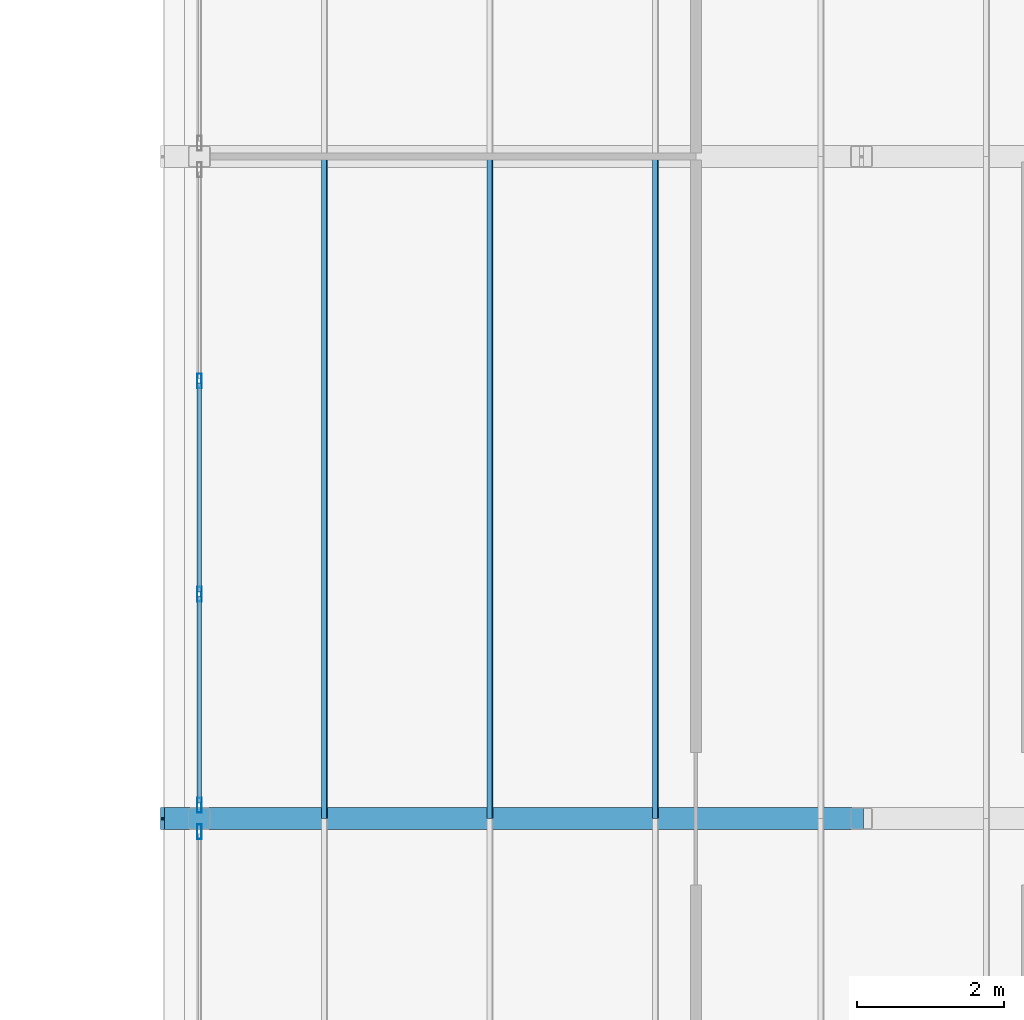
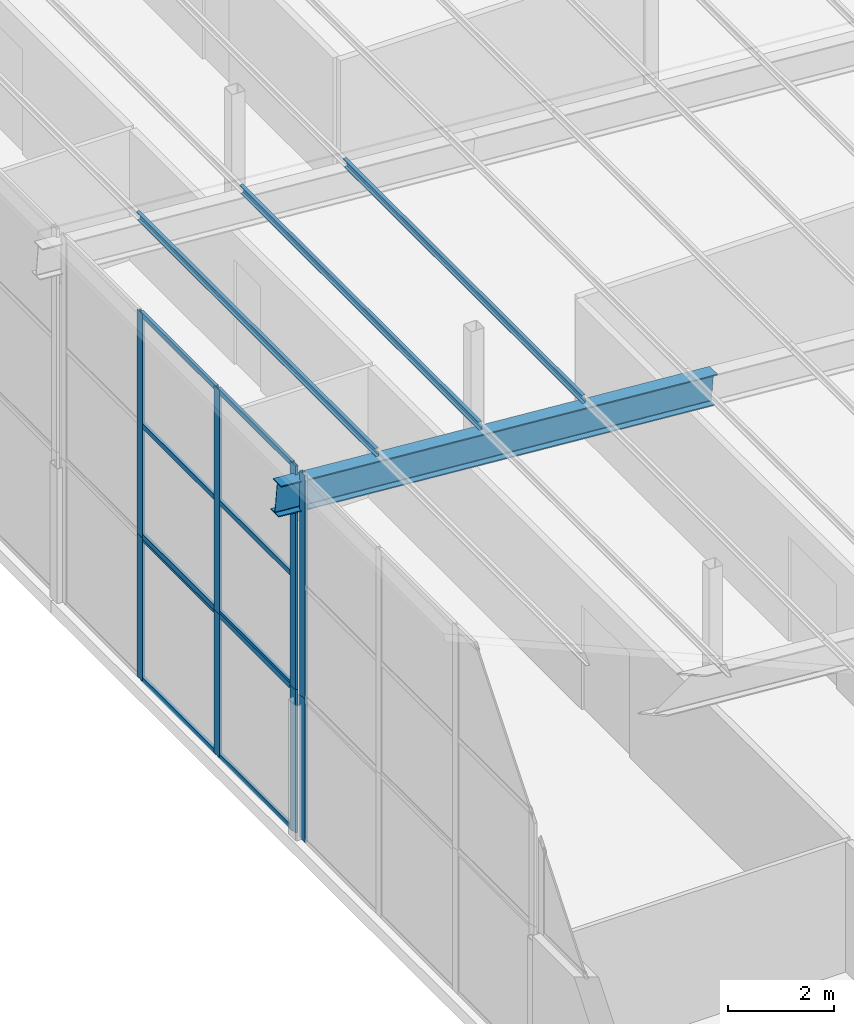
# One storey, part 33 of 85: 22 members, 4 elements without a shape of their own.
"""IFC4 building model written with IfcOpenShell, lengths in metres."""

from ifc_helpers import new_model, si_unit, direction, frame, origin, origin_2d, place, context, subcontext, project, spatial, polyline, hollow_rectangle, i_section, outline, extrude, material, layer, layer_set, material_profile, profile_set, type_object, element, aggregate, save


model = new_model("IFC4")

# Units and contexts
model_context = context("Model", 3, precision=1e-05, world=origin(), true_north=direction((0.0, 1.0)))
body_context = subcontext(model_context, "Body", "Model", "MODEL_VIEW")
ifc_project = project(units=[si_unit("LENGTHUNIT", "METRE"), si_unit("AREAUNIT", "SQUARE_METRE"), si_unit("VOLUMEUNIT", "CUBIC_METRE"), si_unit("PLANEANGLEUNIT", "RADIAN"), si_unit("MASSUNIT", "GRAM", prefix="KILO")], contexts=[model_context])

# Site, building, storey
site_placement = place(None, origin())
site = spatial("IfcSite", under=ifc_project, at=site_placement, CompositionType="ELEMENT")
building_placement = place(site_placement, origin())
building = spatial("IfcBuilding", under=site, at=building_placement, Name="Opaline Strait Convention Centre", CompositionType="ELEMENT")
storey_placement = place(building_placement, frame((0.0, 0.0, 17.0)))
storey = spatial("IfcBuildingStorey", under=building, at=storey_placement, Name="L03", CompositionType="ELEMENT", Elevation=17.0)

# Curtain wall, member
ifc_material_1 = material(Name="Aluminium framed double glazing", Category="aluminium")
ifc_layer = layer(ifc_material_1, 0.199951171875)
ifc_layer_set = layer_set([ifc_layer], Name="Aluminium framed double glazing")
curtain_wall_type = type_object("IfcCurtainWallType", Name="Curtain wall 3000 module unitised", PredefinedType="NOTDEFINED", material=ifc_layer_set)
curtain_wall_1_placement = place(storey_placement, origin())
curtain_wall_1 = element("IfcCurtainWall", 1, at=curtain_wall_1_placement, inside=storey, type_object=curtain_wall_type, Name="Curtain wall W L03 32/P", PredefinedType="NOTDEFINED")
ifc_material_2 = material(Name="Aluminium alloy 6063", Category="aluminium")
ifc_material_profile_1 = material_profile(ifc_material_2, hollow_rectangle(XDim=0.06005859375, YDim=0.199951171875, WallThickness=0.00390625, at=origin_2d()), Name="MULLION 60x200x4")
ifc_profile_set_1 = profile_set([ifc_material_profile_1], Name="Aluminium alloy 6063")
member_type_1 = type_object("IfcMemberType", Name="Curtain wall mullion 60 x 200", PredefinedType="MULLION", material=ifc_profile_set_1)
member_1_placement = place(storey_placement, frame((279.0, 125.820068359375, 0.0), z_axis=(0.0, 0.0, 1.0), x_axis=(-1.0, 0.0, 0.0)))
member_1 = element("IfcMember", 2, at=member_1_placement, type_object=member_type_1, Name="MCWR1 mullion 4", PredefinedType="MULLION", context=body_context, shape_type="SweptSolid", body=[
    extrude(hollow_rectangle(XDim=0.06005859375, YDim=0.199951171875, WallThickness=0.00390625, at=origin_2d()), origin(), (0.0, 0.0, 1.0), 3.300048828125),
])
aggregate(curtain_wall_1, [member_1])

# Curtain wall, members
curtain_wall_2_placement = place(storey_placement, origin())
curtain_wall_2 = element("IfcCurtainWall", 3, at=curtain_wall_2_placement, inside=storey, type_object=curtain_wall_type, Name="Curtain wall W L03 32/Q", PredefinedType="NOTDEFINED")
member_2_placement = place(storey_placement, frame((279.0, 126.179931640625, 0.0), z_axis=(0.0, 0.0, 1.0), x_axis=(-1.0, 0.0, 0.0)))
member_2 = element("IfcMember", 4, at=member_2_placement, type_object=member_type_1, Name="MCWR1 mullion 1", PredefinedType="MULLION", context=body_context, shape_type="SweptSolid", body=[
    extrude(hollow_rectangle(XDim=0.06005859375, YDim=0.199951171875, WallThickness=0.00390625, at=origin_2d()), origin(), (0.0, 0.0, 1.0), 3.300048828125),
])
member_3_placement = place(storey_placement, frame((279.0, 129.050048828125, 0.0), z_axis=(0.0, 0.0, 1.0), x_axis=(-1.0, 0.0, 0.0)))
member_3 = element("IfcMember", 5, at=member_3_placement, type_object=member_type_1, Name="MCWR1 mullion 2", PredefinedType="MULLION", context=body_context, shape_type="SweptSolid", body=[
    extrude(hollow_rectangle(XDim=0.06005859375, YDim=0.199951171875, WallThickness=0.00390625, at=origin_2d()), origin(), (0.0, 0.0, 1.0), 3.300048828125),
])
member_4_placement = place(storey_placement, frame((279.0, 131.949951171875, 0.0), z_axis=(0.0, 0.0, 1.0), x_axis=(-1.0, 0.0, 0.0)))
member_4 = element("IfcMember", 6, at=member_4_placement, type_object=member_type_1, Name="MCWR1 mullion 3", PredefinedType="MULLION", context=body_context, shape_type="SweptSolid", body=[
    extrude(hollow_rectangle(XDim=0.06005859375, YDim=0.199951171875, WallThickness=0.00390625, at=origin_2d()), origin(), (0.0, 0.0, 1.0), 3.300048828125),
])

# Curtain wall, member
curtain_wall_3_placement = place(storey_placement, origin())
curtain_wall_3 = element("IfcCurtainWall", 7, at=curtain_wall_3_placement, inside=storey, type_object=curtain_wall_type, Name="Clerestory curtain wall W L03 32/P", PredefinedType="NOTDEFINED")
member_5_placement = place(storey_placement, frame((279.0, 125.820068359375, 3.300048828125), z_axis=(0.0, 0.0, 1.0), x_axis=(-1.0, 0.0, 0.0)))
member_5 = element("IfcMember", 8, at=member_5_placement, type_object=member_type_1, Name="MCWR1 mullion 4", PredefinedType="MULLION", context=body_context, shape_type="SweptSolid", body=[
    extrude(hollow_rectangle(XDim=0.06005859375, YDim=0.199951171875, WallThickness=0.00390625, at=origin_2d()), origin(), (0.0, 0.0, 1.0), 5.144287109375),
])
aggregate(curtain_wall_3, [member_5])

# Curtain wall, members
curtain_wall_4_placement = place(storey_placement, origin())
curtain_wall_4 = element("IfcCurtainWall", 9, at=curtain_wall_4_placement, inside=storey, type_object=curtain_wall_type, Name="Clerestory curtain wall W L03 32/Q", PredefinedType="NOTDEFINED")
member_6_placement = place(storey_placement, frame((279.0, 126.179931640625, 3.300048828125), z_axis=(0.0, 0.0, 1.0), x_axis=(-1.0, 0.0, 0.0)))
member_6 = element("IfcMember", 10, at=member_6_placement, type_object=member_type_1, Name="MCWR1 mullion 1", PredefinedType="MULLION", context=body_context, shape_type="SweptSolid", body=[
    extrude(hollow_rectangle(XDim=0.06005859375, YDim=0.199951171875, WallThickness=0.00390625, at=origin_2d()), origin(), (0.0, 0.0, 1.0), 5.144287109375),
])
member_7_placement = place(storey_placement, frame((279.0, 129.050048828125, 3.300048828125), z_axis=(0.0, 0.0, 1.0), x_axis=(-1.0, 0.0, 0.0)))
member_7 = element("IfcMember", 11, at=member_7_placement, type_object=member_type_1, Name="MCWR1 mullion 2", PredefinedType="MULLION", context=body_context, shape_type="SweptSolid", body=[
    extrude(hollow_rectangle(XDim=0.06005859375, YDim=0.199951171875, WallThickness=0.00390625, at=origin_2d()), origin(), (0.0, 0.0, 1.0), 5.144287109375),
])
member_8_placement = place(storey_placement, frame((279.0, 131.949951171875, 3.300048828125), z_axis=(0.0, 0.0, 1.0), x_axis=(-1.0, 0.0, 0.0)))
member_8 = element("IfcMember", 12, at=member_8_placement, type_object=member_type_1, Name="MCWR1 mullion 3", PredefinedType="MULLION", context=body_context, shape_type="SweptSolid", body=[
    extrude(hollow_rectangle(XDim=0.06005859375, YDim=0.199951171875, WallThickness=0.00390625, at=origin_2d()), origin(), (0.0, 0.0, 1.0), 5.144287109375),
])

# Member
ifc_material_profile_2 = material_profile(ifc_material_2, hollow_rectangle(XDim=0.06005859375, YDim=0.1201171875, WallThickness=0.0029296875, at=origin_2d()), Name="TRANSOM 60x120x3")
ifc_profile_set_2 = profile_set([ifc_material_profile_2], Name="Aluminium alloy 6063")
member_type_2 = type_object("IfcMemberType", Name="Curtain wall transom 60 x 120", PredefinedType="USERDEFINED", material=ifc_profile_set_2)
member_9_placement = place(storey_placement, frame((279.0, 126.2099609375, 0.030029296875), z_axis=(0.0, 1.0, 0.0), x_axis=(-1.0, 0.0, 0.0)))
member_9 = element("IfcMember", 13, at=member_9_placement, type_object=member_type_2, Name="MCWR1 transom 1.1", ObjectType="TRANSOM", PredefinedType="USERDEFINED", context=body_context, shape_type="SweptSolid", body=[
    extrude(hollow_rectangle(XDim=0.06005859375, YDim=0.1201171875, WallThickness=0.0029296875, at=origin_2d()), origin(), (0.0, 0.0, 1.0), 2.81005859375),
])

member_10_placement = place(storey_placement, frame((279.0, 126.2099609375, 3.27001953125), z_axis=(0.0, 1.0, 0.0), x_axis=(-1.0, 0.0, 0.0)))
member_10 = element("IfcMember", 14, at=member_10_placement, type_object=member_type_2, Name="MCWR1 transom 1.2", ObjectType="TRANSOM", PredefinedType="USERDEFINED", context=body_context, shape_type="SweptSolid", body=[
    extrude(hollow_rectangle(XDim=0.06005859375, YDim=0.1201171875, WallThickness=0.0029296875, at=origin_2d()), origin(), (0.0, 0.0, 1.0), 2.81005859375),
])

member_11_placement = place(storey_placement, frame((279.0, 129.080078125, 0.030029296875), z_axis=(0.0, 1.0, 0.0), x_axis=(-1.0, 0.0, 0.0)))
member_11 = element("IfcMember", 15, at=member_11_placement, type_object=member_type_2, Name="MCWR1 transom 2.1", ObjectType="TRANSOM", PredefinedType="USERDEFINED", context=body_context, shape_type="SweptSolid", body=[
    extrude(hollow_rectangle(XDim=0.06005859375, YDim=0.1201171875, WallThickness=0.0029296875, at=origin_2d()), origin(), (0.0, 0.0, 1.0), 2.83984375),
])

member_12_placement = place(storey_placement, frame((279.0, 129.080078125, 3.27001953125), z_axis=(0.0, 1.0, 0.0), x_axis=(-1.0, 0.0, 0.0)))
member_12 = element("IfcMember", 16, at=member_12_placement, type_object=member_type_2, Name="MCWR1 transom 2.2", ObjectType="TRANSOM", PredefinedType="USERDEFINED", context=body_context, shape_type="SweptSolid", body=[
    extrude(hollow_rectangle(XDim=0.06005859375, YDim=0.1201171875, WallThickness=0.0029296875, at=origin_2d()), origin(), (0.0, 0.0, 1.0), 2.83984375),
])

aggregate(curtain_wall_2, [member_2, member_3, member_4, member_9, member_10, member_11, member_12])

member_13_placement = place(storey_placement, frame((279.0, 126.2099609375, 3.330078125), z_axis=(0.0, 1.0, 0.0), x_axis=(-1.0, 0.0, 0.0)))
member_13 = element("IfcMember", 17, at=member_13_placement, type_object=member_type_2, Name="MCWR1 transom 1.1", ObjectType="TRANSOM", PredefinedType="USERDEFINED", context=body_context, shape_type="SweptSolid", body=[
    extrude(hollow_rectangle(XDim=0.06005859375, YDim=0.1201171875, WallThickness=0.0029296875, at=origin_2d()), origin(), (0.0, 0.0, 1.0), 2.81005859375),
])

member_14_placement = place(storey_placement, frame((279.0, 126.2099609375, 5.872314453125), z_axis=(0.0, 1.0, 0.0), x_axis=(-1.0, 0.0, 0.0)))
member_14 = element("IfcMember", 18, at=member_14_placement, type_object=member_type_2, Name="MCWR1 transom 1.2", ObjectType="TRANSOM", PredefinedType="USERDEFINED", context=body_context, shape_type="SweptSolid", body=[
    extrude(hollow_rectangle(XDim=0.06005859375, YDim=0.1201171875, WallThickness=0.0029296875, at=origin_2d()), origin(), (0.0, 0.0, 1.0), 2.81005859375),
])

member_15_placement = place(storey_placement, frame((279.0, 126.2099609375, 8.414306640625), z_axis=(0.0, 1.0, 0.0), x_axis=(-1.0, 0.0, 0.0)))
member_15 = element("IfcMember", 19, at=member_15_placement, type_object=member_type_2, Name="MCWR1 transom 1.3", ObjectType="TRANSOM", PredefinedType="USERDEFINED", context=body_context, shape_type="SweptSolid", body=[
    extrude(hollow_rectangle(XDim=0.06005859375, YDim=0.1201171875, WallThickness=0.0029296875, at=origin_2d()), origin(), (0.0, 0.0, 1.0), 2.81005859375),
])

member_16_placement = place(storey_placement, frame((279.0, 129.080078125, 3.330078125), z_axis=(0.0, 1.0, 0.0), x_axis=(-1.0, 0.0, 0.0)))
member_16 = element("IfcMember", 20, at=member_16_placement, type_object=member_type_2, Name="MCWR1 transom 2.1", ObjectType="TRANSOM", PredefinedType="USERDEFINED", context=body_context, shape_type="SweptSolid", body=[
    extrude(hollow_rectangle(XDim=0.06005859375, YDim=0.1201171875, WallThickness=0.0029296875, at=origin_2d()), origin(), (0.0, 0.0, 1.0), 2.83984375),
])

member_17_placement = place(storey_placement, frame((279.0, 129.080078125, 5.872314453125), z_axis=(0.0, 1.0, 0.0), x_axis=(-1.0, 0.0, 0.0)))
member_17 = element("IfcMember", 21, at=member_17_placement, type_object=member_type_2, Name="MCWR1 transom 2.2", ObjectType="TRANSOM", PredefinedType="USERDEFINED", context=body_context, shape_type="SweptSolid", body=[
    extrude(hollow_rectangle(XDim=0.06005859375, YDim=0.1201171875, WallThickness=0.0029296875, at=origin_2d()), origin(), (0.0, 0.0, 1.0), 2.83984375),
])

member_18_placement = place(storey_placement, frame((279.0, 129.080078125, 8.414306640625), z_axis=(0.0, 1.0, 0.0), x_axis=(-1.0, 0.0, 0.0)))
member_18 = element("IfcMember", 22, at=member_18_placement, type_object=member_type_2, Name="MCWR1 transom 2.3", ObjectType="TRANSOM", PredefinedType="USERDEFINED", context=body_context, shape_type="SweptSolid", body=[
    extrude(hollow_rectangle(XDim=0.06005859375, YDim=0.1201171875, WallThickness=0.0029296875, at=origin_2d()), origin(), (0.0, 0.0, 1.0), 2.83984375),
])

aggregate(curtain_wall_4, [member_6, member_7, member_8, member_13, member_14, member_15, member_16, member_17, member_18])

# Members
ifc_material_3 = material(Name="Steel Q355B", Category="steel")
ifc_material_profile_3 = material_profile(ifc_material_3, outline(polyline([(-0.034912109375, -0.10009765625), (0.034912109375, -0.10009765625), (0.034912109375, -0.080078125), (0.032470703125, -0.080078125), (0.032470703125, -0.097412109375), (-0.032470703125, -0.097412109375), (-0.032470703125, 0.097412109375), (0.032470703125, 0.097412109375), (0.032470703125, 0.080078125), (0.034912109375, 0.080078125), (0.034912109375, 0.10009765625), (-0.034912109375, 0.10009765625), (-0.034912109375, -0.10009765625)])), Name="C 200x70x20x2.5")
ifc_profile_set_3 = profile_set([ifc_material_profile_3], Name="Steel Q355B")
member_type_3 = type_object("IfcMemberType", Name="Roof purlin C 200x70x20x2.5", PredefinedType="PURLIN", material=ifc_profile_set_3)
for number, where, z_axis, x_axis, name in (
    (23, (285.199951171875, 126.0, 7.856201171875), (0.0, 1.0, 0.0), (-0.996917333733, 0.0, -0.078459095728), "MRP1 purlin W wing 185"),
    (24, (282.949951171875, 126.0, 8.033203125), (0.0, 1.0, 0.0), (-0.996917333733, 0.0, -0.078459095728), "MRP1 purlin W wing 195"),
    (25, (280.699951171875, 126.0, 8.210205078125), (0.0, 1.0, 0.0), (-0.996917333733, 0.0, -0.078459095728), "MRP1 purlin W wing 205"),
):
    element("IfcMember", number, at=place(storey_placement, frame(where, z_axis=z_axis, x_axis=x_axis)), inside=storey, type_object=member_type_3, Name=name, PredefinedType="PURLIN", context=body_context, shape_type="SweptSolid", body=[
        extrude(outline(polyline([(-0.034912109375, -0.10009765625), (0.034912109375, -0.10009765625), (0.034912109375, -0.080078125), (0.032470703125, -0.080078125), (0.032470703125, -0.097412109375), (-0.032470703125, -0.097412109375), (-0.032470703125, 0.097412109375), (0.032470703125, 0.097412109375), (0.032470703125, 0.080078125), (0.034912109375, 0.080078125), (0.034912109375, 0.10009765625), (-0.034912109375, 0.10009765625), (-0.034912109375, -0.10009765625)])), origin(), (0.0, 0.0, 1.0), 9.0),
    ])
ifc_material_profile_4 = material_profile(ifc_material_3, i_section(OverallWidth=0.300048828125, OverallDepth=0.699951171875, WebThickness=0.012939453125, FlangeThickness=0.02392578125, FilletRadius=0.01806640625, at=origin_2d()), Name="HN 700x300x13x24")
ifc_profile_set_4 = profile_set([ifc_material_profile_4], Name="Steel Q355B")
member_type_4 = type_object("IfcMemberType", Name="Roof rafter HN 700x300x13x24", PredefinedType="RAFTER", material=ifc_profile_set_4)
member_19_placement = place(storey_placement, frame((278.5, 126.0, 7.93212890625), z_axis=(0.996916213079, 0.0, -0.078473333693), x_axis=(0.0, 1.0, 0.0)))
element("IfcMember", 26, at=member_19_placement, inside=storey, type_object=member_type_4, Name="MRR1 rafter y 126", PredefinedType="RAFTER", context=body_context, shape_type="SweptSolid", body=[
    extrude(i_section(OverallWidth=0.300048828125, OverallDepth=0.699951171875, WebThickness=0.012939453125, FlangeThickness=0.02392578125, FilletRadius=0.01806640625, at=origin_2d()), origin(), (0.0, 0.0, 1.0), 9.529296875),
])

save(model, "model.ifc")
